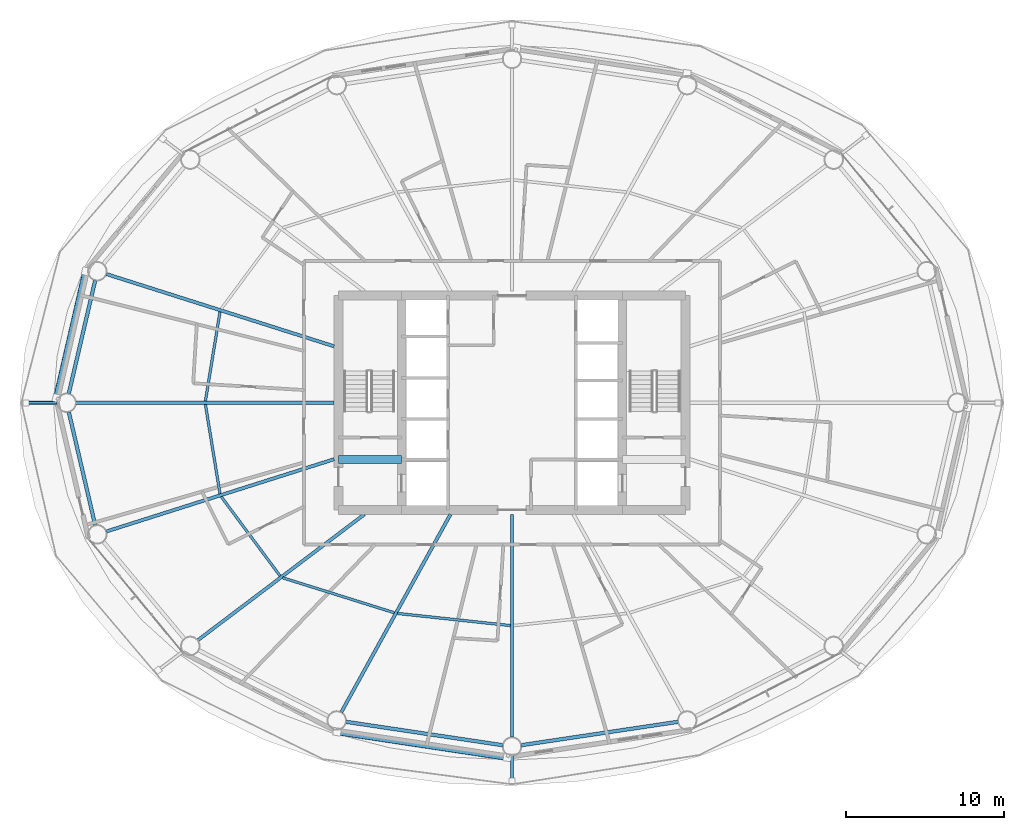
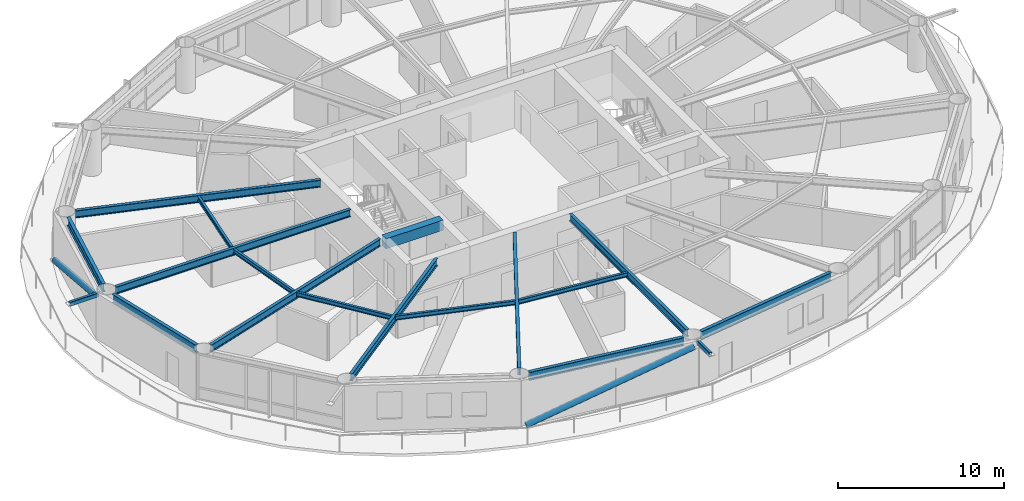
# One storey, part 3 of 24: 16 beams, 4 members.
"""IFC4 building model written with IfcOpenShell, lengths in metres."""

from ifc_helpers import new_model, si_unit, direction, frame, origin, origin_2d, place, context, subcontext, project, spatial, rectangle, hollow_rectangle, hollow_circle, i_section, extrude, material, material_profile, profile_set, type_object, element, save


model = new_model("IFC4")

# Units and contexts
model_context = context("Model", 3, precision=1e-05, world=origin(), true_north=direction((0.0, 1.0)))
body_context = subcontext(model_context, "Body", "Model", "MODEL_VIEW")
ifc_project = project(units=[si_unit("LENGTHUNIT", "METRE"), si_unit("AREAUNIT", "SQUARE_METRE"), si_unit("VOLUMEUNIT", "CUBIC_METRE"), si_unit("PLANEANGLEUNIT", "RADIAN"), si_unit("MASSUNIT", "GRAM", prefix="KILO")], contexts=[model_context])

# Site, building, storey
site_placement = place(None, origin())
site = spatial("IfcSite", under=ifc_project, at=site_placement, CompositionType="ELEMENT")
building_placement = place(site_placement, origin())
building = spatial("IfcBuilding", under=site, at=building_placement, Name="Sarneth Arch Tower", CompositionType="ELEMENT")
storey_placement = place(building_placement, frame((0.0, 0.0, 98.39990234375)))
storey = spatial("IfcBuildingStorey", under=building, at=storey_placement, Name="L24", CompositionType="ELEMENT", Elevation=98.39990234375)

# Beams
ifc_material_1 = material(Name="Steel S355", Category="steel")
ifc_material_profile_1 = material_profile(ifc_material_1, i_section(OverallWidth=0.1669921875, OverallDepth=0.31689453125, WebThickness=0.007568359375, FlangeThickness=0.01318359375, FilletRadius=0.012939453125, at=origin_2d()), Name="W310x52")
ifc_profile_set_1 = profile_set([ifc_material_profile_1], Name="Steel S355")
beam_type_1 = type_object("IfcBeamType", Name="BM-JOIST-310B", PredefinedType="JOIST", material=ifc_profile_set_1)
for number, where, z_axis, x_axis, name in (
    (1, (29.48583984375, 47.76513671875, 3.2216796875), (-0.16118181609, -0.986924729735, 0.0), (0.986924729735, -0.16118181609, 0.0), "L24 Secondary floor joist 08"),
    (2, (28.561279296875, 41.89599609375, 3.2216796875), (0.16118181609, -0.986924729735, 0.0), (0.986924729735, 0.16118181609, 0.0), "L24 Secondary floor joist 09"),
):
    element("IfcBeam", number, at=place(storey_placement, frame(where, z_axis=z_axis, x_axis=x_axis)), inside=storey, type_object=beam_type_1, Name=name, PredefinedType="JOIST", context=body_context, shape_type="SweptSolid", body=[
        extrude(i_section(OverallWidth=0.1669921875, OverallDepth=0.31689453125, WebThickness=0.007568359375, FlangeThickness=0.01318359375, FilletRadius=0.012939453125, at=origin_2d()), origin(), (0.0, 0.0, 1.0), 5.736083984375),
    ])
beam_1_placement = place(storey_placement, frame((29.565673828125, 36.0458984375, 3.2216796875), z_axis=(0.596098474255, -0.802911333206, 0.0), x_axis=(0.802911333206, 0.596098474255, 0.0)))
element("IfcBeam", 3, at=beam_1_placement, inside=storey, type_object=beam_type_1, Name="L24 Secondary floor joist 10", PredefinedType="JOIST", context=body_context, shape_type="SweptSolid", body=[
    extrude(i_section(OverallWidth=0.1669921875, OverallDepth=0.31689453125, WebThickness=0.007568359375, FlangeThickness=0.01318359375, FilletRadius=0.012939453125, at=origin_2d()), origin(), (0.0, 0.0, 1.0), 6.259033203125),
])
beam_2_placement = place(storey_placement, frame((33.460205078125, 30.904296875, 3.2216796875), z_axis=(0.954245982384, -0.299022750146, 0.0), x_axis=(0.299022750146, 0.954245982384, 0.0)))
element("IfcBeam", 4, at=beam_2_placement, inside=storey, type_object=beam_type_1, Name="L24 Secondary floor joist 11", PredefinedType="JOIST", context=body_context, shape_type="SweptSolid", body=[
    extrude(i_section(OverallWidth=0.1669921875, OverallDepth=0.31689453125, WebThickness=0.007568359375, FlangeThickness=0.01318359375, FilletRadius=0.012939453125, at=origin_2d()), origin(), (0.0, 0.0, 1.0), 7.416748046875),
])
beam_3_placement = place(storey_placement, frame((40.7431640625, 28.6435546875, 3.2216796875), z_axis=(0.994257420028, -0.107014871487, 0.0), x_axis=(0.107014871487, 0.994257420028, 0.0)))
element("IfcBeam", 5, at=beam_3_placement, inside=storey, type_object=beam_type_1, Name="L24 Secondary floor joist 12", PredefinedType="JOIST", context=body_context, shape_type="SweptSolid", body=[
    extrude(i_section(OverallWidth=0.1669921875, OverallDepth=0.31689453125, WebThickness=0.007568359375, FlangeThickness=0.01318359375, FilletRadius=0.012939453125, at=origin_2d()), origin(), (0.0, 0.0, 1.0), 7.193115234375),
])
ifc_material_2 = material(Name="Concrete C50/60", Category="concrete")
ifc_material_profile_2 = material_profile(ifc_material_2, rectangle(XDim=0.5, YDim=0.75, at=origin_2d()), Name="RC-500x750")
ifc_profile_set_2 = profile_set([ifc_material_profile_2], Name="Concrete C50/60")
beam_type_2 = type_object("IfcBeamType", Name="BM-LINTEL-RC", PredefinedType="LINTEL", material=ifc_profile_set_2)
beam_4_placement = place(storey_placement, frame((37.0, 38.39990234375, 3.005126953125), z_axis=(1.0, 0.0, 0.0), x_axis=(0.0, 1.0, 0.0)))
element("IfcBeam", 6, at=beam_4_placement, inside=storey, type_object=beam_type_2, Name="L24 Core coupling lintel W", PredefinedType="LINTEL", context=body_context, shape_type="SweptSolid", body=[
    extrude(rectangle(XDim=0.5, YDim=0.75, at=origin_2d()), origin(), (0.0, 0.0, 1.0), 4.0),
])
ifc_material_3 = material(Name="Steel S355", Category="steel")
ifc_material_profile_3 = material_profile(ifc_material_3, i_section(OverallWidth=0.2109375, OverallDepth=0.5390625, WebThickness=0.01171875, FlangeThickness=0.018798828125, FilletRadius=0.01806640625, at=origin_2d()), Name="W530x109")
ifc_profile_set_3 = profile_set([ifc_material_profile_3], Name="Steel S355")
beam_type_3 = type_object("IfcBeamType", Name="BM-RAD-530B", PredefinedType="BEAM", material=ifc_profile_set_3)
beam_5_placement = place(storey_placement, frame((36.72509765625, 45.57763671875, 3.110595703125), z_axis=(-0.953162461637, 0.302458793435, 0.0), x_axis=(-0.302458793435, -0.953162461637, 0.0)))
element("IfcBeam", 7, at=beam_5_placement, inside=storey, type_object=beam_type_3, Name="L24 Radial floor girder 08", PredefinedType="BEAM", context=body_context, shape_type="SweptSolid", body=[
    extrude(i_section(OverallWidth=0.2109375, OverallDepth=0.5390625, WebThickness=0.01171875, FlangeThickness=0.018798828125, FilletRadius=0.01806640625, at=origin_2d()), origin(), (0.0, 0.0, 1.0), 15.154052734375),
])
beam_6_placement = place(storey_placement, frame((36.72509765625, 42.0, 3.110595703125), z_axis=(-1.0, 0.0, 0.0), x_axis=(0.0, -1.0, 0.0)))
element("IfcBeam", 8, at=beam_6_placement, inside=storey, type_object=beam_type_3, Name="L24 Radial floor girder 09", PredefinedType="BEAM", context=body_context, shape_type="SweptSolid", body=[
    extrude(i_section(OverallWidth=0.2109375, OverallDepth=0.5390625, WebThickness=0.01171875, FlangeThickness=0.018798828125, FilletRadius=0.01806640625, at=origin_2d()), origin(), (0.0, 0.0, 1.0), 16.36181640625),
])
beam_7_placement = place(storey_placement, frame((36.72509765625, 38.42236328125, 3.110595703125), z_axis=(-0.953162461637, -0.302458793435, 0.0), x_axis=(0.302458793435, -0.953162461637, 0.0)))
element("IfcBeam", 9, at=beam_7_placement, inside=storey, type_object=beam_type_3, Name="L24 Radial floor girder 10", PredefinedType="BEAM", context=body_context, shape_type="SweptSolid", body=[
    extrude(i_section(OverallWidth=0.2109375, OverallDepth=0.5390625, WebThickness=0.01171875, FlangeThickness=0.018798828125, FilletRadius=0.01806640625, at=origin_2d()), origin(), (0.0, 0.0, 1.0), 15.154052734375),
])
beam_8_placement = place(storey_placement, frame((38.63818359375, 34.925048828125, 3.110595703125), z_axis=(-0.797802835234, -0.602918432371, 0.0), x_axis=(0.602918432371, -0.797802835234, 0.0)))
element("IfcBeam", 10, at=beam_8_placement, inside=storey, type_object=beam_type_3, Name="L24 Radial floor girder 11", PredefinedType="BEAM", context=body_context, shape_type="SweptSolid", body=[
    extrude(i_section(OverallWidth=0.2109375, OverallDepth=0.5390625, WebThickness=0.01171875, FlangeThickness=0.018798828125, FilletRadius=0.01806640625, at=origin_2d()), origin(), (0.0, 0.0, 1.0), 13.232666015625),
])
beam_9_placement = place(storey_placement, frame((44.09716796875, 34.925048828125, 3.110595703125), z_axis=(-0.483021011336, -0.875608761153, 0.0), x_axis=(0.875608761153, -0.483021011336, 0.0)))
element("IfcBeam", 11, at=beam_9_placement, inside=storey, type_object=beam_type_3, Name="L24 Radial floor girder 12", PredefinedType="BEAM", context=body_context, shape_type="SweptSolid", body=[
    extrude(i_section(OverallWidth=0.2109375, OverallDepth=0.5390625, WebThickness=0.01171875, FlangeThickness=0.018798828125, FilletRadius=0.01806640625, at=origin_2d()), origin(), (0.0, 0.0, 1.0), 14.32177734375),
])
beam_10_placement = place(storey_placement, frame((48.0, 34.925048828125, 3.110595703125), z_axis=(0.0, -1.0, 0.0), x_axis=(1.0, 0.0, 0.0)))
element("IfcBeam", 12, at=beam_10_placement, inside=storey, type_object=beam_type_3, Name="L24 Radial floor girder 13", PredefinedType="BEAM", context=body_context, shape_type="SweptSolid", body=[
    extrude(i_section(OverallWidth=0.2109375, OverallDepth=0.5390625, WebThickness=0.01171875, FlangeThickness=0.018798828125, FilletRadius=0.01806640625, at=origin_2d()), origin(), (0.0, 0.0, 1.0), 14.125),
])
ifc_material_4 = material(Name="Steel S355", Category="steel")
ifc_material_profile_4 = material_profile(ifc_material_4, i_section(OverallWidth=0.22900390625, OverallDepth=0.612060546875, WebThickness=0.011962890625, FlangeThickness=0.01953125, FilletRadius=0.01904296875, at=origin_2d()), Name="W610x125")
ifc_profile_set_4 = profile_set([ifc_material_profile_4], Name="Steel S355")
beam_type_4 = type_object("IfcBeamType", Name="BM-SPAN-610C", PredefinedType="SPANDREL", material=ifc_profile_set_4)
for number, where, z_axis, x_axis, name in (
    (13, (21.572509765625, 49.75830078125, 3.07421875), (-0.227088175252, -0.973874201661, 0.0), (0.973874201661, -0.227088175252, 0.0), "L24 Perimeter spandrel beam 08"),
    (14, (19.899658203125, 41.415771484375, 3.07421875), (0.227088175252, -0.973874201661, 0.0), (0.973874201661, 0.227088175252, 0.0), "L24 Perimeter spandrel beam 09"),
):
    element("IfcBeam", number, at=place(storey_placement, frame(where, z_axis=z_axis, x_axis=x_axis)), inside=storey, type_object=beam_type_4, Name=name, PredefinedType="SPANDREL", context=body_context, shape_type="SweptSolid", body=[
        extrude(i_section(OverallWidth=0.22900390625, OverallDepth=0.612060546875, WebThickness=0.011962890625, FlangeThickness=0.01953125, FilletRadius=0.01904296875, at=origin_2d()), origin(), (0.0, 0.0, 1.0), 7.366455078125),
    ])
for number, where, z_axis, x_axis, name in (
    (15, (37.483154296875, 21.770751953125, 3.07421875), (0.989028613319, -0.147724073992, 0.0), (0.147724073992, 0.989028613319, 0.0), "L24 Perimeter spandrel beam 12"),
    (16, (48.593505859375, 20.28857421875, 3.07421875), (0.989028613319, 0.147724073992, 0.0), (-0.147724073992, 0.989028613319, 0.0), "L24 Perimeter spandrel beam 13"),
):
    element("IfcBeam", number, at=place(storey_placement, frame(where, z_axis=z_axis, x_axis=x_axis)), inside=storey, type_object=beam_type_4, Name=name, PredefinedType="SPANDREL", context=body_context, shape_type="SweptSolid", body=[
        extrude(i_section(OverallWidth=0.22900390625, OverallDepth=0.612060546875, WebThickness=0.011962890625, FlangeThickness=0.01953125, FilletRadius=0.01904296875, at=origin_2d()), origin(), (0.0, 0.0, 1.0), 10.033447265625),
    ])

# Members
ifc_material_5 = material(Name="Steel S355", Category="steel")
ifc_material_profile_5 = material_profile(ifc_material_5, hollow_rectangle(XDim=0.199951171875, YDim=0.300048828125, WallThickness=0.012451171875, InnerFilletRadius=0.018798828125, OuterFilletRadius=0.03125, at=origin_2d()), Name="RHS300x200x12.5")
ifc_profile_set_5 = profile_set([ifc_material_profile_5], Name="Steel S355")
member_type_1 = type_object("IfcMemberType", Name="MEM-CANT-STRUT", PredefinedType="STRUT", material=ifc_profile_set_5)
member_1_placement = place(storey_placement, frame((19.163330078125, 42.0, 3.22021484375), z_axis=(-1.0, 0.0, 0.0), x_axis=(0.0, -1.0, 0.0)))
element("IfcMember", 17, at=member_1_placement, inside=storey, type_object=member_type_1, Name="L24 Balcony cantilever bracket 09", PredefinedType="STRUT", context=body_context, shape_type="SweptSolid", body=[
    extrude(hollow_rectangle(XDim=0.199951171875, YDim=0.300048828125, WallThickness=0.012451171875, InnerFilletRadius=0.018798828125, OuterFilletRadius=0.03125, at=origin_2d()), origin(), (0.0, 0.0, 1.0), 1.985595703125),
])
member_2_placement = place(storey_placement, frame((48.0, 19.60009765625, 3.22021484375), z_axis=(0.0, -1.0, 0.0), x_axis=(1.0, 0.0, 0.0)))
element("IfcMember", 18, at=member_2_placement, inside=storey, type_object=member_type_1, Name="L24 Balcony cantilever bracket 13", PredefinedType="STRUT", context=body_context, shape_type="SweptSolid", body=[
    extrude(hollow_rectangle(XDim=0.199951171875, YDim=0.300048828125, WallThickness=0.012451171875, InnerFilletRadius=0.018798828125, OuterFilletRadius=0.03125, at=origin_2d()), origin(), (0.0, 0.0, 1.0), 1.564453125),
])
ifc_material_6 = material(Name="Steel S355", Category="steel")
ifc_material_profile_6 = material_profile(ifc_material_6, hollow_circle(Radius=0.202880859375, WallThickness=0.01611328125, at=origin_2d()), Name="CHS406x16")
ifc_profile_set_6 = profile_set([ifc_material_profile_6], Name="Steel S355")
member_type_2 = type_object("IfcMemberType", Name="MEM-DIAG-BR2", PredefinedType="BRACE", material=ifc_profile_set_6)
member_3_placement = place(storey_placement, frame((20.98046875, 50.32958984375, 0.02001953125), z_axis=(-0.211849757262, -0.915864196825, 0.341046116123), x_axis=(0.974275349464, -0.225360918143, 0.0)))
element("IfcMember", 19, at=member_3_placement, inside=storey, type_object=member_type_2, Name="L24 Perimeter frame diagonal 08", PredefinedType="BRACE", context=body_context, shape_type="SweptSolid", body=[
    extrude(hollow_circle(Radius=0.202880859375, WallThickness=0.01611328125, at=origin_2d()), origin(), (0.0, 0.0, 1.0), 8.775634765625),
])
member_4_placement = place(storey_placement, frame((36.9072265625, 21.140380859375, 0.02001953125), z_axis=(0.953667510586, -0.143607606182, 0.26437688004), x_axis=(0.148905755657, 0.988851392239, 0.0)))
element("IfcMember", 20, at=member_4_placement, inside=storey, type_object=member_type_2, Name="L24 Perimeter frame diagonal 12", PredefinedType="BRACE", context=body_context, shape_type="SweptSolid", body=[
    extrude(hollow_circle(Radius=0.202880859375, WallThickness=0.01611328125, at=origin_2d()), origin(), (0.0, 0.0, 1.0), 11.320556640625),
])

save(model, "model.ifc")
